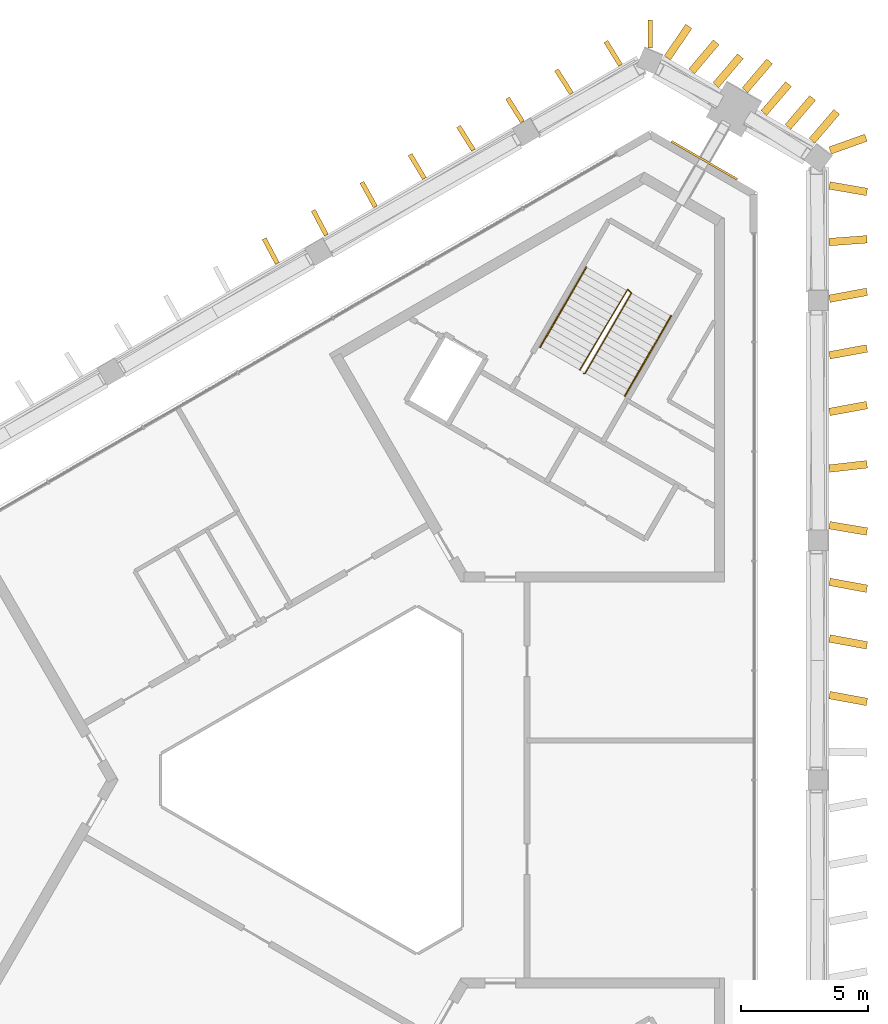
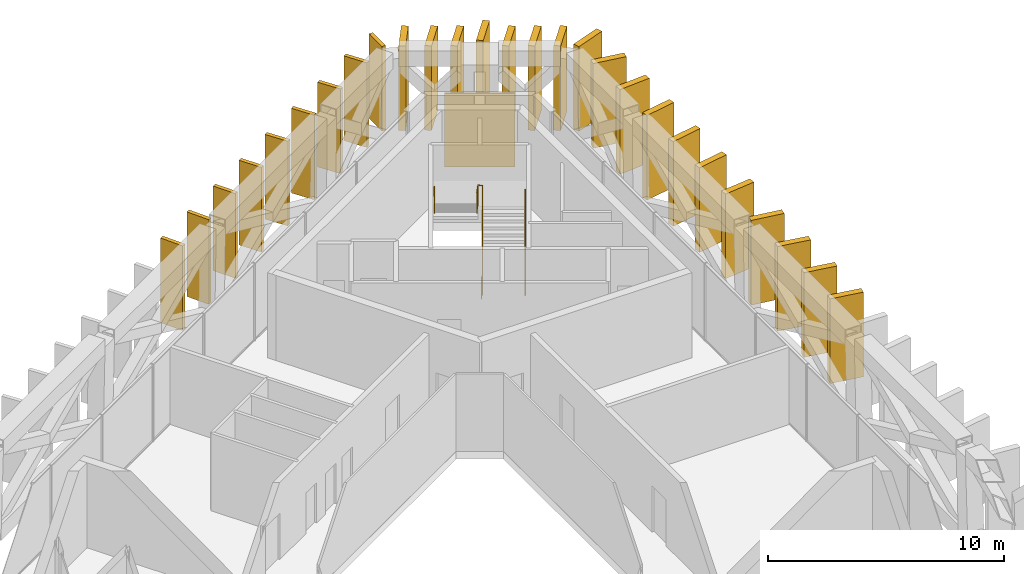
# One storey, part 12 of 12: 27 shading devices, 3 railings, 1 covering.
"""IFC4 building model written with IfcOpenShell, lengths in metres."""

from ifc_helpers import new_model, si_unit, direction, frame, frame_2d, origin, origin_2d, place, context, subcontext, project, spatial, rectangle, circle, extrude, material, layer, layer_set, type_object, element, save


model = new_model("IFC4")

# Units and contexts
model_context = context("Model", 3, precision=1e-05, world=origin(), true_north=direction((0.0, 1.0)))
body_context = subcontext(model_context, "Body", "Model", "MODEL_VIEW")
ifc_project = project(units=[si_unit("LENGTHUNIT", "METRE"), si_unit("AREAUNIT", "SQUARE_METRE"), si_unit("VOLUMEUNIT", "CUBIC_METRE"), si_unit("PLANEANGLEUNIT", "RADIAN"), si_unit("MASSUNIT", "GRAM", prefix="KILO")], contexts=[model_context])

# Site, building, storey
site_placement = place(None, origin())
site = spatial("IfcSite", under=ifc_project, at=site_placement, CompositionType="ELEMENT")
building_placement = place(site_placement, origin())
building = spatial("IfcBuilding", under=site, at=building_placement, Name="Jabali Bay Hotel Tower and Convention Centre", CompositionType="ELEMENT")
storey_placement = place(building_placement, frame((0.0, 0.0, 300.39990234375)))
storey = spatial("IfcBuildingStorey", under=building, at=storey_placement, Name="L74", CompositionType="ELEMENT", Elevation=300.39990234375)

# Shading devices
ifc_material_1 = material(Name="Precast concrete C60", Category="concrete")
ifc_layer_1 = layer(ifc_material_1, 0.179931640625)
ifc_layer_set_1 = layer_set([ifc_layer_1], Name="Precast concrete C60")
shading_device_type_1 = type_object("IfcShadingDeviceType", Name="Precast fin 4380 x 1100", PredefinedType="USERDEFINED", material=ifc_layer_set_1)
for number, where, z_axis, x_axis, name in (
    (1, (85.787353515625, 108.16015625, 0.010009765625), (0.0, 0.0, 1.0), (-0.527523059716, 0.849540712072, 0.0), "Fin L74 029"),
    (2, (83.85498046875, 107.0458984375, 0.010009765625), (0.0, 0.0, 1.0), (-0.539085185418, 0.842251246875, 0.0), "Fin L74 030"),
    (3, (81.92333984375, 105.929931640625, 0.010009765625), (0.0, 0.0, 1.0), (-0.533525313693, 0.845784097539, 0.0), "Fin L74 031"),
):
    element("IfcShadingDevice", number, at=place(storey_placement, frame(where, z_axis=z_axis, x_axis=x_axis)), inside=storey, type_object=shading_device_type_1, Name=name, ObjectType="FIN", PredefinedType="USERDEFINED", context=body_context, shape_type="SweptSolid", body=[
        extrude(rectangle(XDim=1.10009765625, YDim=0.179931640625, at=frame_2d((0.550048828125, 0.0))), origin(), (0.0, 0.0, 1.0), 4.380126953125),
    ])
shading_device_1_placement = place(storey_placement, frame((79.99169921875, 104.814697265625, 0.010009765625), z_axis=(0.0, 0.0, 1.0), x_axis=(-0.532271549044, 0.846573681423, 0.0)))
element("IfcShadingDevice", 4, at=shading_device_1_placement, inside=storey, type_object=shading_device_type_1, Name="Fin L74 032", ObjectType="FIN", PredefinedType="USERDEFINED", context=body_context, shape_type="SweptSolid", body=[
    extrude(rectangle(XDim=1.099853515625, YDim=0.179931640625, at=frame_2d((0.5498046875, 0.0))), origin(), (0.0, 0.0, 1.0), 4.380126953125),
])
shading_device_2_placement = place(storey_placement, frame((78.060791015625, 103.697509765625, 0.010009765625), z_axis=(0.0, 0.0, 1.0), x_axis=(-0.513320357489, 0.858197069785, 0.0)))
element("IfcShadingDevice", 5, at=shading_device_2_placement, inside=storey, type_object=shading_device_type_1, Name="Fin L74 033", ObjectType="FIN", PredefinedType="USERDEFINED", context=body_context, shape_type="SweptSolid", body=[
    extrude(rectangle(XDim=1.10009765625, YDim=0.179931640625, at=frame_2d((0.550048828125, 0.0))), origin(), (0.0, 0.0, 1.0), 4.380126953125),
])
shading_device_3_placement = place(storey_placement, frame((76.128662109375, 102.58251953125, 0.010009765625), z_axis=(0.0, 0.0, 1.0), x_axis=(-0.483417623676, 0.875389856647, 0.0)))
element("IfcShadingDevice", 6, at=shading_device_3_placement, inside=storey, type_object=shading_device_type_1, Name="Fin L74 034", ObjectType="FIN", PredefinedType="USERDEFINED", context=body_context, shape_type="SweptSolid", body=[
    extrude(rectangle(XDim=1.099853515625, YDim=0.179931640625, at=frame_2d((0.5498046875, 0.0))), origin(), (0.0, 0.0, 1.0), 4.380126953125),
])
shading_device_4_placement = place(storey_placement, frame((74.196044921875, 101.468505859375, 0.010009765625), z_axis=(0.0, 0.0, 1.0), x_axis=(-0.467867325032, 0.883798713604, 0.0)))
element("IfcShadingDevice", 7, at=shading_device_4_placement, inside=storey, type_object=shading_device_type_1, Name="Fin L74 035", ObjectType="FIN", PredefinedType="USERDEFINED", context=body_context, shape_type="SweptSolid", body=[
    extrude(rectangle(XDim=1.10009765625, YDim=0.179931640625, at=frame_2d((0.550048828125, 0.0))), origin(), (0.0, 0.0, 1.0), 4.380126953125),
])
for number, where, z_axis, x_axis, name in (
    (8, (72.264404296875, 100.353271484375, 0.010009765625), (0.0, 0.0, 1.0), (-0.468132468211, 0.883658300593, 0.0), "Fin L74 036"),
    (9, (86.95458984375, 108.83984375, 0.010009765625), (0.0, 0.0, 1.0), (0.009988402921, 0.999950114659, 0.0), "Fin L74 089"),
):
    element("IfcShadingDevice", number, at=place(storey_placement, frame(where, z_axis=z_axis, x_axis=x_axis)), inside=storey, type_object=shading_device_type_1, Name=name, ObjectType="FIN", PredefinedType="USERDEFINED", context=body_context, shape_type="SweptSolid", body=[
        extrude(rectangle(XDim=1.099853515625, YDim=0.179931640625, at=frame_2d((0.5498046875, 0.0))), origin(), (0.0, 0.0, 1.0), 4.380126953125),
    ])
ifc_layer_2 = layer(ifc_material_1, 0.300048828125)
ifc_layer_set_2 = layer_set([ifc_layer_2], Name="Precast concrete C60")
shading_device_type_2 = type_object("IfcShadingDeviceType", Name="Precast fin 4380 x 1500", PredefinedType="USERDEFINED", material=ifc_layer_set_2)
for number, where, z_axis, x_axis, name in (
    (10, (94.01806640625, 83.345947265625, 0.010009765625), (0.0, 0.0, 1.0), (0.983545395653, -0.180661159883, 0.0), "Fin L74 012"),
    (11, (94.01806640625, 85.57666015625, 0.010009765625), (0.0, 0.0, 1.0), (0.98351646372, -0.180818598576, 0.0), "Fin L74 013"),
    (12, (94.01806640625, 87.807373046875, 0.010009765625), (0.0, 0.0, 1.0), (0.98351646372, -0.180818598576, 0.0), "Fin L74 014"),
    (13, (94.015869140625, 90.0380859375, 0.010009765625), (0.0, 0.0, 1.0), (0.986066448011, -0.166351916452, 0.0), "Fin L74 015"),
    (14, (94.0078125, 92.268798828125, 0.010009765625), (0.0, 0.0, 1.0), (0.993637169005, 0.11262848828, 0.0), "Fin L74 016"),
    (15, (94.01806640625, 94.49951171875, 0.010009765625), (0.0, 0.0, 1.0), (0.983545395653, 0.180661159883, 0.0), "Fin L74 017"),
    (16, (94.01806640625, 96.730224609375, 0.010009765625), (0.0, 0.0, 1.0), (0.983545395653, 0.180661159883, 0.0), "Fin L74 018"),
    (17, (94.017822265625, 98.960693359375, 0.010009765625), (0.0, 0.0, 1.0), (0.98351646372, 0.180818598576, 0.0), "Fin L74 019"),
    (18, (94.001953125, 101.19140625, 0.010009765625), (0.0, 0.0, 1.0), (0.99728991536, 0.073571901704, 0.0), "Fin L74 020"),
):
    element("IfcShadingDevice", number, at=place(storey_placement, frame(where, z_axis=z_axis, x_axis=x_axis)), inside=storey, type_object=shading_device_type_2, Name=name, ObjectType="FIN", PredefinedType="USERDEFINED", context=body_context, shape_type="SweptSolid", body=[
        extrude(rectangle(XDim=1.5, YDim=0.300048828125, at=frame_2d((0.75, 0.0))), origin(), (0.0, 0.0, 1.0), 4.380126953125),
    ])
shading_device_5_placement = place(storey_placement, frame((94.0166015625, 103.422119140625, 0.010009765625), z_axis=(0.0, 0.0, 1.0), x_axis=(0.985285733503, -0.170915251971, 0.0)))
element("IfcShadingDevice", 19, at=shading_device_5_placement, inside=storey, type_object=shading_device_type_2, Name="Fin L74 021", ObjectType="FIN", PredefinedType="USERDEFINED", context=body_context, shape_type="SweptSolid", body=[
    extrude(rectangle(XDim=1.499755859375, YDim=0.300048828125, at=frame_2d((0.75, 0.0))), origin(), (0.0, 0.0, 1.0), 4.380126953125),
])
for number, where, z_axis, x_axis, name in (
    (20, (93.330322265625, 105.18115234375, 0.010009765625), (0.0, 0.0, 1.0), (0.648455975435, 0.76125215791, 0.0), "Fin L74 022"),
    (21, (92.38232421875, 105.728515625, 0.010009765625), (0.0, 0.0, 1.0), (0.648455975435, 0.76125215791, 0.0), "Fin L74 023"),
):
    element("IfcShadingDevice", number, at=place(storey_placement, frame(where, z_axis=z_axis, x_axis=x_axis)), inside=storey, type_object=shading_device_type_2, Name=name, ObjectType="FIN", PredefinedType="USERDEFINED", context=body_context, shape_type="SweptSolid", body=[
        extrude(rectangle(XDim=1.5, YDim=0.300048828125, at=frame_2d((0.75, 0.0))), origin(), (0.0, 0.0, 1.0), 4.380126953125),
    ])
shading_device_6_placement = place(storey_placement, frame((91.434326171875, 106.27587890625, 0.010009765625), z_axis=(0.0, 0.0, 1.0), x_axis=(0.648361637363, 0.761332507644, 0.0)))
element("IfcShadingDevice", 22, at=shading_device_6_placement, inside=storey, type_object=shading_device_type_2, Name="Fin L74 024", ObjectType="FIN", PredefinedType="USERDEFINED", context=body_context, shape_type="SweptSolid", body=[
    extrude(rectangle(XDim=1.499755859375, YDim=0.300048828125, at=frame_2d((0.75, 0.0))), origin(), (0.0, 0.0, 1.0), 4.380126953125),
])
for number, where, z_axis, x_axis, name in (
    (23, (90.68603515625, 107.169189453125, 0.010009765625), (0.0, 0.0, 1.0), (0.648455975435, 0.76125215791, 0.0), "Fin L74 025"),
    (24, (89.538330078125, 107.370361328125, 0.010009765625), (0.0, 0.0, 1.0), (0.648281291341, 0.761400924151, 0.0), "Fin L74 026"),
    (25, (88.58984375, 107.917236328125, 0.010009765625), (0.0, 0.0, 1.0), (0.644847170474, 0.764311537746, 0.0), "Fin L74 027"),
):
    element("IfcShadingDevice", number, at=place(storey_placement, frame(where, z_axis=z_axis, x_axis=x_axis)), inside=storey, type_object=shading_device_type_2, Name=name, ObjectType="FIN", PredefinedType="USERDEFINED", context=body_context, shape_type="SweptSolid", body=[
        extrude(rectangle(XDim=1.5, YDim=0.300048828125, at=frame_2d((0.75, 0.0))), origin(), (0.0, 0.0, 1.0), 4.380126953125),
    ])
shading_device_7_placement = place(storey_placement, frame((87.63427734375, 108.451416015625, 0.010009765625), z_axis=(0.0, 0.0, 1.0), x_axis=(0.562750745698, 0.826626637737, 0.0)))
element("IfcShadingDevice", 26, at=shading_device_7_placement, inside=storey, type_object=shading_device_type_2, Name="Fin L74 028", ObjectType="FIN", PredefinedType="USERDEFINED", context=body_context, shape_type="SweptSolid", body=[
    extrude(rectangle(XDim=1.499755859375, YDim=0.300048828125, at=frame_2d((0.75, 0.0))), origin(), (0.0, 0.0, 1.0), 4.380126953125),
])
shading_device_8_placement = place(storey_placement, frame((94.043701171875, 104.799072265625, 0.010009765625), z_axis=(0.0, 0.0, 1.0), x_axis=(0.941833929459, 0.33607863562, 0.0)))
element("IfcShadingDevice", 27, at=shading_device_8_placement, inside=storey, type_object=shading_device_type_2, Name="Fin L74 088", ObjectType="FIN", PredefinedType="USERDEFINED", context=body_context, shape_type="SweptSolid", body=[
    extrude(rectangle(XDim=1.5, YDim=0.300048828125, at=frame_2d((0.75, 0.0))), origin(), (0.0, 0.0, 1.0), 4.380126953125),
])

# Covering
ifc_material_2 = material(Name="Precast concrete C40/50", Category="concrete")
ifc_layer_3 = layer(ifc_material_2, 0.080078125)
ifc_layer_set_3 = layer_set([ifc_layer_3], Name="Precast concrete C40/50")
covering_type = type_object("IfcCoveringType", Name="Relief panel 3000 x 3800", PredefinedType="CLADDING", material=ifc_layer_set_3)
covering_placement = place(storey_placement, frame((89.0927734375, 104.409423828125, 0.10009765625), z_axis=(0.0, 0.0, 1.0), x_axis=(0.866025424371, -0.499999964344, 0.0)))
element("IfcCovering", 28, at=covering_placement, inside=storey, type_object=covering_type, Name="Relief panel L74", PredefinedType="CLADDING", context=body_context, shape_type="SweptSolid", body=[
    extrude(rectangle(XDim=3.0, YDim=0.080078125, at=origin_2d()), origin(), (0.0, 0.0, 1.0), 3.800048828125),
])

# Railings
ifc_material_3 = material(Name="Steel Q355B", Category="steel")
railing_type_1 = type_object("IfcRailingType", Name="Stair guard 1100", PredefinedType="GUARDRAIL", material=ifc_material_3)
railing_1_placement = place(storey_placement, frame((84.329833984375, 96.010009765625, 0.0)))
element("IfcRailing", 29, at=railing_1_placement, inside=storey, type_object=railing_type_1, Name="L74 ST2 stair guard 1", PredefinedType="GUARDRAIL", context=body_context, shape_type="SweptSolid", body=[
    extrude(circle(Radius=0.02392578125, at=origin_2d()), frame((0.0, 0.0, 1.076171875), z_axis=(0.396471330136, 0.106197677715, 0.911884059312), x_axis=(-0.258736085224, 0.965948051503, 0.0)), (0.0, 0.0, 1.0), 0.17236328125),
    extrude(circle(Radius=0.02392578125, at=origin_2d()), frame((0.068359375, 0.018310546875, 1.2333984375), z_axis=(0.436031875999, 0.75520369992, 0.489431889787), x_axis=(-0.866018046521, 0.500012742938, 0.0)), (0.0, 0.0, 1.0), 4.174072265625),
    extrude(circle(Radius=0.02392578125, at=origin_2d()), frame((1.888427734375, 3.170654296875, 3.2763671875), z_axis=(-0.718850276695, 0.695164929852, 0.0), x_axis=(-0.695164929852, -0.718850276695, 0.0)), (0.0, 0.0, 1.0), 0.2060546875),
    extrude(circle(Radius=0.02392578125, at=origin_2d()), frame((1.740234375, 3.31396484375, 3.2763671875), z_axis=(-0.439537937446, -0.737980503376, 0.512046070372), x_axis=(0.859157857954, -0.511710636118, 0.0)), (0.0, 0.0, 1.0), 4.29638671875),
    extrude(circle(Radius=0.02099609375, at=origin_2d()), origin(), (0.0, 0.0, 1.0), 1.052001953125),
    extrude(circle(Radius=0.02099609375, at=origin_2d()), frame((0.068359375, 0.018310546875, 0.1572265625)), (0.0, 0.0, 1.0), 1.052001953125),
    extrude(circle(Radius=0.02099609375, at=origin_2d()), frame((0.5234375, 0.806396484375, 0.66796875)), (0.0, 0.0, 1.0), 1.052001953125),
    extrude(circle(Radius=0.02099609375, at=origin_2d()), frame((0.978515625, 1.594482421875, 1.1787109375)), (0.0, 0.0, 1.0), 1.052001953125),
    extrude(circle(Radius=0.02099609375, at=origin_2d()), frame((1.433349609375, 2.382568359375, 1.689453125)), (0.0, 0.0, 1.0), 1.052001953125),
    extrude(circle(Radius=0.02099609375, at=origin_2d()), frame((1.888427734375, 3.170654296875, 2.2001953125)), (0.0, 0.0, 1.0), 1.052001953125),
    extrude(circle(Radius=0.02099609375, at=origin_2d()), frame((1.740234375, 3.31396484375, 2.2001953125)), (0.0, 0.0, 1.0), 1.052001953125),
    extrude(circle(Radius=0.02099609375, at=origin_2d()), frame((1.26806640625, 2.521240234375, 2.750244140625)), (0.0, 0.0, 1.0), 1.052001953125),
    extrude(circle(Radius=0.02099609375, at=origin_2d()), frame((0.7958984375, 1.728515625, 3.30029296875)), (0.0, 0.0, 1.0), 1.052001953125),
    extrude(circle(Radius=0.02099609375, at=origin_2d()), frame((0.323974609375, 0.93603515625, 3.85009765625)), (0.0, 0.0, 1.0), 1.052001953125),
    extrude(circle(Radius=0.02099609375, at=origin_2d()), frame((-0.148193359375, 0.143310546875, 4.400146484375)), (0.0, 0.0, 1.0), 1.052001953125),
])
railing_type_2 = type_object("IfcRailingType", Name="Stair handrail 900", PredefinedType="HANDRAIL", material=ifc_material_3)
railing_2_placement = place(storey_placement, frame((85.95703125, 95.128173828125, 0.1572265625)))
element("IfcRailing", 30, at=railing_2_placement, inside=storey, type_object=railing_type_2, Name="L74 ST2 stair handrail 1", PredefinedType="HANDRAIL", context=body_context, shape_type="SweptSolid", body=[
    extrude(circle(Radius=0.02392578125, at=origin_2d()), frame((0.0, 0.0, 0.8759765625), z_axis=(0.436031875999, 0.75520369992, 0.489431889787), x_axis=(-0.866018046521, 0.500012742938, 0.0)), (0.0, 0.0, 1.0), 4.174072265625),
    extrude(circle(Radius=0.02099609375, at=origin_2d()), origin(), (0.0, 0.0, 1.0), 0.851806640625),
    extrude(circle(Radius=0.02099609375, at=origin_2d()), frame((0.455078125, 0.7880859375, 0.5107421875)), (0.0, 0.0, 1.0), 0.851806640625),
    extrude(circle(Radius=0.02099609375, at=origin_2d()), frame((0.91015625, 1.576171875, 1.021484375)), (0.0, 0.0, 1.0), 0.851806640625),
    extrude(circle(Radius=0.02099609375, at=origin_2d()), frame((1.364990234375, 2.3642578125, 1.5322265625)), (0.0, 0.0, 1.0), 0.851806640625),
    extrude(circle(Radius=0.02099609375, at=origin_2d()), frame((1.820068359375, 3.15234375, 2.04296875)), (0.0, 0.0, 1.0), 0.851806640625),
])
railing_3_placement = place(storey_placement, frame((84.44287109375, 100.20556640625, 2.357177734375)))
element("IfcRailing", 31, at=railing_3_placement, inside=storey, type_object=railing_type_2, Name="L74 ST2 stair handrail 2", PredefinedType="HANDRAIL", context=body_context, shape_type="SweptSolid", body=[
    extrude(circle(Radius=0.02392578125, at=origin_2d()), frame((0.0, 0.0, 0.8759765625), z_axis=(-0.436031875999, -0.75520369992, 0.489431889787), x_axis=(0.866018046521, -0.500012742938, 0.0)), (0.0, 0.0, 1.0), 4.174072265625),
    extrude(circle(Radius=0.02099609375, at=origin_2d()), origin(), (0.0, 0.0, 1.0), 0.851806640625),
    extrude(circle(Radius=0.02099609375, at=origin_2d()), frame((-0.455078125, -0.7880859375, 0.5107421875)), (0.0, 0.0, 1.0), 0.851806640625),
    extrude(circle(Radius=0.02099609375, at=origin_2d()), frame((-0.91015625, -1.576171875, 1.021484375)), (0.0, 0.0, 1.0), 0.851806640625),
    extrude(circle(Radius=0.02099609375, at=origin_2d()), frame((-1.364990234375, -2.3642578125, 1.5322265625)), (0.0, 0.0, 1.0), 0.851806640625),
    extrude(circle(Radius=0.02099609375, at=origin_2d()), frame((-1.820068359375, -3.15234375, 2.04296875)), (0.0, 0.0, 1.0), 0.851806640625),
])

save(model, "model.ifc")
